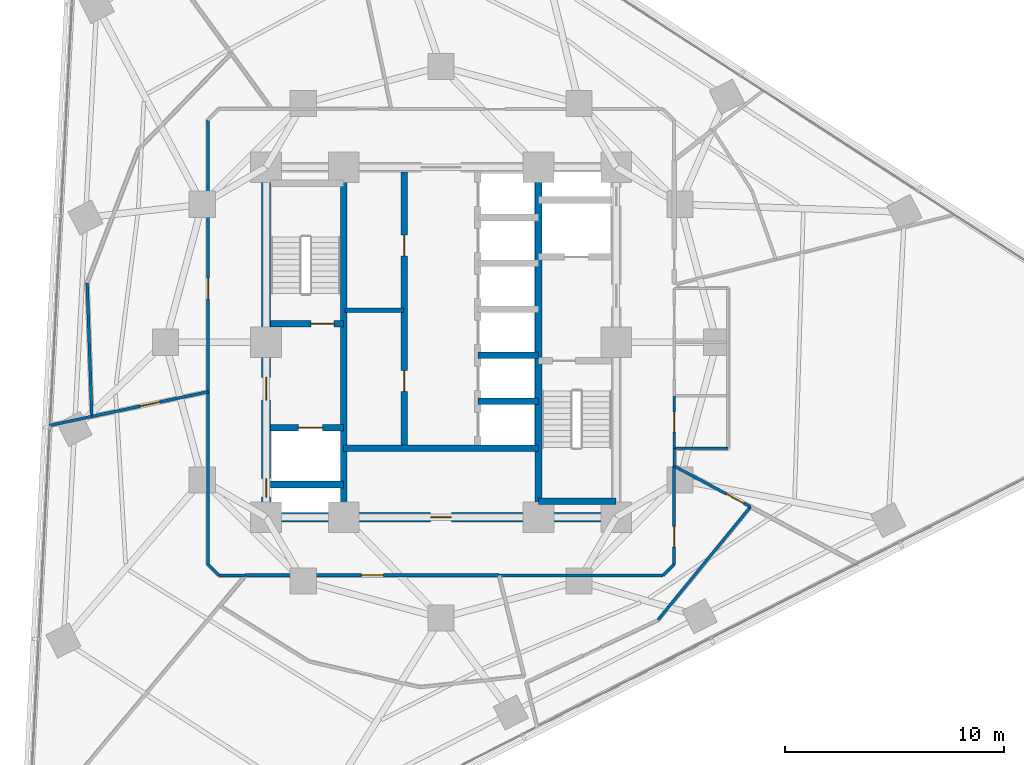
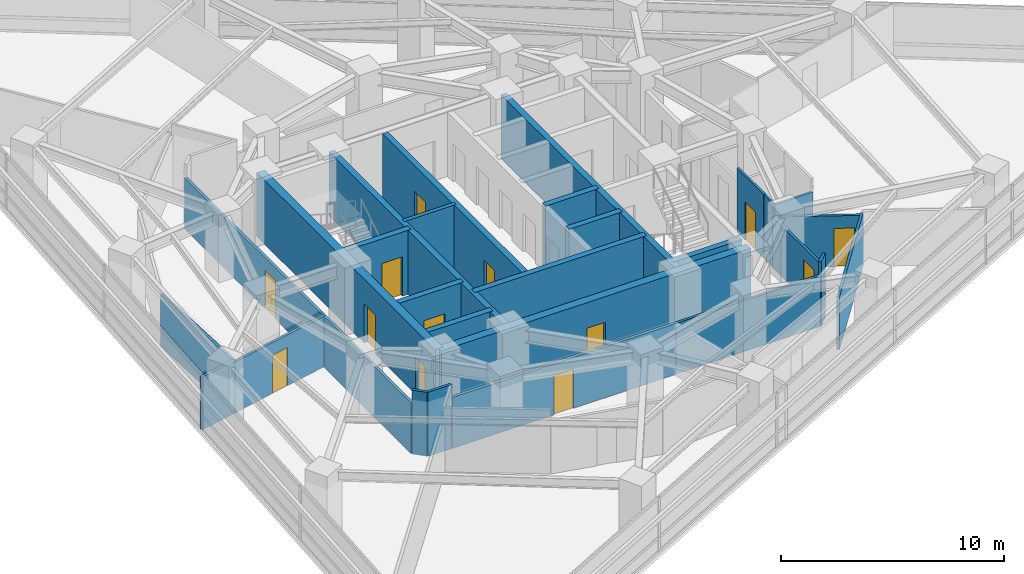
# One storey, part 8 of 14: 29 walls, 13 doors, 13 openings.
"""IFC4 building model written with IfcOpenShell, lengths in metres."""

from ifc_helpers import new_model, si_unit, direction, frame, frame_2d, origin, place, context, subcontext, project, spatial, rectangle, extrude, material, layer, layer_set, type_object, element, fill, save


model = new_model("IFC4")

# Units and contexts
model_context = context("Model", 3, precision=1e-05, world=origin(), true_north=direction((0.0, 1.0)))
body_context = subcontext(model_context, "Body", "Model", "MODEL_VIEW")
ifc_project = project(units=[si_unit("LENGTHUNIT", "METRE"), si_unit("AREAUNIT", "SQUARE_METRE"), si_unit("VOLUMEUNIT", "CUBIC_METRE"), si_unit("PLANEANGLEUNIT", "RADIAN"), si_unit("MASSUNIT", "GRAM", prefix="KILO")], contexts=[model_context])

# Site, building, storey
site_placement = place(None, origin())
site = spatial("IfcSite", under=ifc_project, at=site_placement, CompositionType="ELEMENT")
building_placement = place(site_placement, origin())
building = spatial("IfcBuilding", under=site, at=building_placement, Name="Terralouvre Media Tower", CompositionType="ELEMENT")
storey_placement = place(building_placement, frame((0.0, 0.0, 123.60009765625)))
storey = spatial("IfcBuildingStorey", under=building, at=storey_placement, Name="L31", CompositionType="ELEMENT", Elevation=123.60009765625)

# Walls
ifc_material_1 = material(Name="Concrete C50/60", Category="concrete")
ifc_layer_1 = layer(ifc_material_1, 0.300048828125, Name="Core Internal Shaft Wall CW-300")
ifc_layer_set_1 = layer_set([ifc_layer_1], Name="Concrete C50/60")
wall_type_1 = type_object("IfcWallType", Name="Core Internal Shaft Wall CW-300", PredefinedType="SHEAR", material=ifc_layer_set_1)
for number, where, z_axis, x_axis, name in (
    (1, (-4.449951171875, -7.7900390625, 0.0), (0.0, 0.0, 1.0), (0.0, 1.0, 0.0), "L31 Core Shaft Wall SPW"),
    (2, (4.449951171875, -7.7900390625, 0.0), (0.0, 0.0, 1.0), (0.0, 1.0, 0.0), "L31 Core Shaft Wall SPE"),
):
    element("IfcWall", number, at=place(storey_placement, frame(where, z_axis=z_axis, x_axis=x_axis)), inside=storey, type_object=wall_type_1, Name=name, PredefinedType="SHEAR", context=body_context, shape_type="SweptSolid", body=[
        extrude(rectangle(XDim=15.580078125, YDim=0.300048828125, at=frame_2d((7.7900390625, 0.0))), origin(), (0.0, 0.0, 1.0), 3.5),
    ])

# Wall, opening, door
wall_1_placement = place(storey_placement, frame((-7.7900390625, 0.85009765625, 0.0), z_axis=(0.0, 0.0, 1.0), x_axis=(1.0, 0.0, 0.0)))
wall_1 = element("IfcWall", 3, at=wall_1_placement, inside=storey, type_object=wall_type_1, Name="L31 Core Shaft Wall ST1D", PredefinedType="SHEAR", context=body_context, shape_type="SweptSolid", body=[
    extrude(rectangle(XDim=3.340087890625, YDim=0.300048828125, at=frame_2d((1.669921875, 0.0))), origin(), (0.0, 0.0, 1.0), 3.5),
])
opening_1_placement = place(wall_1_placement, frame((1.85009765625, 0.0, 0.0)))
opening_1 = element("IfcOpeningElement", 4, at=opening_1_placement, cuts=wall_1, Name="Opening FD-01-105X215", PredefinedType="OPENING", context=body_context, shape_type="SweptSolid", body=[
    extrude(rectangle(XDim=1.050048828125, YDim=2.14990234375, at=frame_2d((0.52490234375, 1.074951171875))), frame((0.0, 0.159912109375, 0.0), z_axis=(0.0, -1.0, 0.0), x_axis=(1.0, 0.0, 0.0)), (0.0, 0.0, 1.0), 0.320068359375),
])
ifc_material_2 = material(Name="Galvanised steel fire-resisting leaf", Category="steel")
door_type_1 = type_object("IfcDoorType", Name="Stair and Firefighting Lobby Fire Door FD-01 (1050x2150)", OperationType="NOTDEFINED", PredefinedType="DOOR", material=ifc_material_2)
door_1_placement = place(opening_1_placement, origin())
door_1 = element("IfcDoor", 5, at=door_1_placement, inside=storey, type_object=door_type_1, Name="L31 ST-01 Exit Stair Door", OperationType="SINGLE_SWING_LEFT", OverallHeight=2.14990234375, OverallWidth=1.050048828125, PredefinedType="DOOR", context=body_context, shape_type="SweptSolid", body=[
    extrude(rectangle(XDim=1.050048828125, YDim=2.14990234375, at=frame_2d((0.52490234375, 1.074951171875))), frame((0.0, 0.02490234375, 0.0), z_axis=(0.0, -1.0, 0.0), x_axis=(1.0, 0.0, 0.0)), (0.0, 0.0, 1.0), 0.050048828125),
])
fill(opening_1, door_1)

# Wall
wall_2_placement = place(storey_placement, frame((4.449951171875, -7.260009765625, 0.0), z_axis=(0.0, 0.0, 1.0), x_axis=(1.0, 0.0, 0.0)))
element("IfcWall", 6, at=wall_2_placement, inside=storey, type_object=wall_type_1, Name="L31 Core Shaft Wall ST2F", PredefinedType="SHEAR", context=body_context, shape_type="SweptSolid", body=[
    extrude(rectangle(XDim=3.550048828125, YDim=0.300048828125, at=frame_2d((1.77490234375, 0.0))), origin(), (0.0, 0.0, 1.0), 3.5),
])

# Wall, opening, door
wall_3_placement = place(storey_placement, frame((-7.7900390625, -3.89990234375, 0.0), z_axis=(0.0, 0.0, 1.0), x_axis=(1.0, 0.0, 0.0)))
wall_3 = element("IfcWall", 7, at=wall_3_placement, inside=storey, type_object=wall_type_1, Name="L31 Core Shaft Wall FF1N", PredefinedType="SHEAR", context=body_context, shape_type="SweptSolid", body=[
    extrude(rectangle(XDim=3.340087890625, YDim=0.300048828125, at=frame_2d((1.669921875, 0.0))), origin(), (0.0, 0.0, 1.0), 3.5),
])
opening_2_placement = place(wall_3_placement, frame((1.27001953125, 0.0, 0.0)))
opening_2 = element("IfcOpeningElement", 8, at=opening_2_placement, cuts=wall_3, Name="Opening LD-FF", PredefinedType="OPENING", context=body_context, shape_type="SweptSolid", body=[
    extrude(rectangle(XDim=1.10009765625, YDim=2.10009765625, at=frame_2d((0.550048828125, 1.050048828125))), frame((0.0, 0.159912109375, 0.0), z_axis=(0.0, -1.0, 0.0), x_axis=(1.0, 0.0, 0.0)), (0.0, 0.0, 1.0), 0.320068359375),
])
ifc_material_3 = material(Name="Stainless steel 316 handrail and balustrade", Category="steel")
door_type_2 = type_object("IfcDoorType", Name="Firefighting Lift Sliding Landing Door LD-FF", OperationType="SLIDING_TO_LEFT", PredefinedType="DOOR", material=ifc_material_3)
door_2_placement = place(opening_2_placement, origin())
door_2 = element("IfcDoor", 9, at=door_2_placement, inside=storey, type_object=door_type_2, Name="L31 Firefighting Lift FFL-01 Landing Door", OperationType="SLIDING_TO_LEFT", OverallHeight=2.10009765625, OverallWidth=1.10009765625, PredefinedType="DOOR", context=body_context, shape_type="SweptSolid", body=[
    extrude(rectangle(XDim=1.10009765625, YDim=2.10009765625, at=frame_2d((0.550048828125, 1.050048828125))), frame((0.0, 0.02490234375, 0.0), z_axis=(0.0, -1.0, 0.0), x_axis=(1.0, 0.0, 0.0)), (0.0, 0.0, 1.0), 0.050048828125),
])
fill(opening_2, door_2)

# Walls
wall_4_placement = place(storey_placement, frame((-7.7900390625, -6.5, 0.0), z_axis=(0.0, 0.0, 1.0), x_axis=(1.0, 0.0, 0.0)))
element("IfcWall", 10, at=wall_4_placement, inside=storey, type_object=wall_type_1, Name="L31 Core Shaft Wall FF1S", PredefinedType="SHEAR", context=body_context, shape_type="SweptSolid", body=[
    extrude(rectangle(XDim=3.340087890625, YDim=0.300048828125, at=frame_2d((1.669921875, 0.0))), origin(), (0.0, 0.0, 1.0), 3.5),
])
wall_5_placement = place(storey_placement, frame((-4.449951171875, -4.85009765625, 0.0), z_axis=(0.0, 0.0, 1.0), x_axis=(1.0, 0.0, 0.0)))
element("IfcWall", 11, at=wall_5_placement, inside=storey, type_object=wall_type_1, Name="L31 Core Shaft Wall CSBN", PredefinedType="SHEAR", context=body_context, shape_type="SweptSolid", body=[
    extrude(rectangle(XDim=8.89990234375, YDim=0.300048828125, at=frame_2d((4.449951171875, 0.0))), origin(), (0.0, 0.0, 1.0), 3.5),
])

# Wall, openings, doors
wall_6_placement = place(storey_placement, frame((-1.679931640625, -4.85009765625, 0.0), z_axis=(0.0, 0.0, 1.0), x_axis=(0.0, 1.0, 0.0)))
wall_6 = element("IfcWall", 12, at=wall_6_placement, inside=storey, type_object=wall_type_1, Name="L31 Core Shaft Wall LBW", PredefinedType="SHEAR", context=body_context, shape_type="SweptSolid", body=[
    extrude(rectangle(XDim=12.64013671875, YDim=0.300048828125, at=frame_2d((6.320068359375, 0.0))), origin(), (0.0, 0.0, 1.0), 3.5),
])
opening_3_placement = place(wall_6_placement, frame((2.60009765625, 0.0, 0.0)))
opening_3 = element("IfcOpeningElement", 13, at=opening_3_placement, cuts=wall_6, Name="Opening FD-02-95X210", PredefinedType="OPENING", context=body_context, shape_type="SweptSolid", body=[
    extrude(rectangle(XDim=0.949951171875, YDim=2.10009765625, at=frame_2d((0.47509765625, 1.050048828125))), frame((0.0, 0.159912109375, 0.0), z_axis=(0.0, -1.0, 0.0), x_axis=(1.0, 0.0, 0.0)), (0.0, 0.0, 1.0), 0.320068359375),
])
opening_4_placement = place(wall_6_placement, frame((8.800048828125, 0.0, 0.0)))
opening_4 = element("IfcOpeningElement", 14, at=opening_4_placement, cuts=wall_6, Name="Opening FD-04-95X210", PredefinedType="OPENING", context=body_context, shape_type="SweptSolid", body=[
    extrude(rectangle(XDim=0.949951171875, YDim=2.10009765625, at=frame_2d((0.47509765625, 1.050048828125))), frame((0.0, 0.159912109375, 0.0), z_axis=(0.0, -1.0, 0.0), x_axis=(1.0, 0.0, 0.0)), (0.0, 0.0, 1.0), 0.320068359375),
])
ifc_material_4 = material(Name="Galvanised steel fire-resisting leaf", Category="steel")
door_type_3 = type_object("IfcDoorType", Name="Core Store and Service Fire Door FD-04 (950x2100)", OperationType="NOTDEFINED", PredefinedType="DOOR", material=ifc_material_4)
door_3_placement = place(opening_4_placement, origin())
door_3 = element("IfcDoor", 15, at=door_3_placement, inside=storey, type_object=door_type_3, Name="L31 Core Linen Store Door", OperationType="SINGLE_SWING_RIGHT", OverallHeight=2.10009765625, OverallWidth=0.949951171875, PredefinedType="DOOR", context=body_context, shape_type="SweptSolid", body=[
    extrude(rectangle(XDim=0.949951171875, YDim=2.10009765625, at=frame_2d((0.47509765625, 1.050048828125))), frame((0.0, 0.02490234375, 0.0), z_axis=(0.0, -1.0, 0.0), x_axis=(1.0, 0.0, 0.0)), (0.0, 0.0, 1.0), 0.050048828125),
])
fill(opening_4, door_3)
ifc_material_5 = material(Name="Galvanised steel fire-resisting leaf", Category="steel")
door_type_4 = type_object("IfcDoorType", Name="Plant and Riser Fire Door FD-02 (950x2100)", OperationType="NOTDEFINED", PredefinedType="DOOR", material=ifc_material_5)
door_4_placement = place(opening_3_placement, origin())
door_4 = element("IfcDoor", 16, at=door_4_placement, inside=storey, type_object=door_type_4, Name="L31 Core Fibre Patch Plant Door", OperationType="SINGLE_SWING_LEFT", OverallHeight=2.10009765625, OverallWidth=0.949951171875, PredefinedType="DOOR", context=body_context, shape_type="SweptSolid", body=[
    extrude(rectangle(XDim=0.949951171875, YDim=2.10009765625, at=frame_2d((0.47509765625, 1.050048828125))), frame((0.0, 0.02490234375, 0.0), z_axis=(0.0, -1.0, 0.0), x_axis=(1.0, 0.0, 0.0)), (0.0, 0.0, 1.0), 0.050048828125),
])
fill(opening_3, door_4)

# Walls
for number, where, z_axis, x_axis, name in (
    (17, (1.679931640625, -2.699951171875, 0.0), (0.0, 0.0, 1.0), (1.0, 0.0, 0.0), "L31 Core Shaft Wall PLHD1"),
    (18, (1.679931640625, -0.60009765625, 0.0), (0.0, 0.0, 1.0), (1.0, 0.0, 0.0), "L31 Core Shaft Wall PLHD2"),
):
    element("IfcWall", number, at=place(storey_placement, frame(where, z_axis=z_axis, x_axis=x_axis)), inside=storey, type_object=wall_type_1, Name=name, PredefinedType="SHEAR", context=body_context, shape_type="SweptSolid", body=[
        extrude(rectangle(XDim=2.77001953125, YDim=0.300048828125, at=frame_2d((1.385009765625, 0.0))), origin(), (0.0, 0.0, 1.0), 3.5),
    ])

# Wall, openings, doors
ifc_material_6 = material(Name="Concrete C60/75", Category="concrete")
ifc_layer_2 = layer(ifc_material_6, 0.419921875, Name="Core Reinforced Concrete Shear Wall CW-420")
ifc_layer_set_2 = layer_set([ifc_layer_2], Name="Concrete C60/75")
wall_type_2 = type_object("IfcWallType", Name="Core Reinforced Concrete Shear Wall CW-420", PredefinedType="SHEAR", material=ifc_layer_set_2)
wall_7_placement = place(storey_placement, frame((-8.0, -8.0, 0.0), z_axis=(0.0, 0.0, 1.0), x_axis=(0.0, 1.0, 0.0)))
wall_7 = element("IfcWall", 19, at=wall_7_placement, inside=storey, type_object=wall_type_2, Name="L31 W Core Shear Wall", PredefinedType="SHEAR", context=body_context, shape_type="SweptSolid", body=[
    extrude(rectangle(XDim=16.0, YDim=0.419921875, at=frame_2d((8.0, 0.0))), origin(), (0.0, 0.0, 1.0), 3.5),
])
opening_5_placement = place(wall_7_placement, frame((0.921630859375, 0.0, 0.0)))
opening_5 = element("IfcOpeningElement", 20, at=opening_5_placement, cuts=wall_7, Name="Opening TD-R1", PredefinedType="OPENING", context=body_context, shape_type="SweptSolid", body=[
    extrude(rectangle(XDim=0.85009765625, YDim=2.02001953125, at=frame_2d((0.425048828125, 1.010009765625))), frame((0.0, 0.219970703125, 0.0), z_axis=(0.0, -1.0, 0.0), x_axis=(1.0, 0.0, 0.0)), (0.0, 0.0, 1.0), 0.43994140625),
])
opening_6_placement = place(wall_7_placement, frame((5.35009765625, 0.0, 0.0)))
opening_6 = element("IfcOpeningElement", 21, at=opening_6_placement, cuts=wall_7, Name="Opening FD-01-105X215", PredefinedType="OPENING", context=body_context, shape_type="SweptSolid", body=[
    extrude(rectangle(XDim=1.050048828125, YDim=2.14990234375, at=frame_2d((0.52490234375, 1.074951171875))), frame((0.0, 0.219970703125, 0.0), z_axis=(0.0, -1.0, 0.0), x_axis=(1.0, 0.0, 0.0)), (0.0, 0.0, 1.0), 0.43994140625),
])
ifc_material_7 = material(Name="Galvanised steel fire-resisting leaf", Category="steel")
door_type_5 = type_object("IfcDoorType", Name="Riser Inspection Access Trapdoor TD-R1", OperationType="NOTDEFINED", PredefinedType="TRAPDOOR", material=ifc_material_7)
door_5_placement = place(opening_5_placement, origin())
door_5 = element("IfcDoor", 22, at=door_5_placement, inside=storey, type_object=door_type_5, Name="L31 Wet Riser Access Trapdoor", OperationType="SINGLE_SWING_LEFT", OverallHeight=2.02001953125, OverallWidth=0.85009765625, PredefinedType="TRAPDOOR", context=body_context, shape_type="SweptSolid", body=[
    extrude(rectangle(XDim=0.85009765625, YDim=2.02001953125, at=frame_2d((0.425048828125, 1.010009765625))), frame((0.0, 0.02490234375, 0.0), z_axis=(0.0, -1.0, 0.0), x_axis=(1.0, 0.0, 0.0)), (0.0, 0.0, 1.0), 0.050048828125),
])
fill(opening_5, door_5)
door_6_placement = place(opening_6_placement, origin())
door_6 = element("IfcDoor", 23, at=door_6_placement, inside=storey, type_object=door_type_1, Name="L31 West Firefighting Lobby Entry Door", OperationType="SINGLE_SWING_RIGHT", OverallHeight=2.14990234375, OverallWidth=1.050048828125, PredefinedType="DOOR", context=body_context, shape_type="SweptSolid", body=[
    extrude(rectangle(XDim=1.050048828125, YDim=2.14990234375, at=frame_2d((0.52490234375, 1.074951171875))), frame((0.0, 0.02490234375, 0.0), z_axis=(0.0, -1.0, 0.0), x_axis=(1.0, 0.0, 0.0)), (0.0, 0.0, 1.0), 0.050048828125),
])
fill(opening_6, door_6)

# Wall, opening, door
wall_8_placement = place(storey_placement, frame((-8.0, -8.0, 0.0), z_axis=(0.0, 0.0, 1.0), x_axis=(1.0, 0.0, 0.0)))
wall_8 = element("IfcWall", 24, at=wall_8_placement, inside=storey, type_object=wall_type_2, Name="L31 S Core Shear Wall", PredefinedType="SHEAR", context=body_context, shape_type="SweptSolid", body=[
    extrude(rectangle(XDim=16.0, YDim=0.419921875, at=frame_2d((8.0, 0.0))), origin(), (0.0, 0.0, 1.0), 3.5),
])
opening_7_placement = place(wall_8_placement, frame((7.52001953125, 0.0, 0.0)))
opening_7 = element("IfcOpeningElement", 25, at=opening_7_placement, cuts=wall_8, Name="Opening FD-02-95X210", PredefinedType="OPENING", context=body_context, shape_type="SweptSolid", body=[
    extrude(rectangle(XDim=0.949951171875, YDim=2.10009765625, at=frame_2d((0.47509765625, 1.050048828125))), frame((0.0, 0.219970703125, 0.0), z_axis=(0.0, -1.0, 0.0), x_axis=(1.0, 0.0, 0.0)), (0.0, 0.0, 1.0), 0.43994140625),
])
door_7_placement = place(opening_7_placement, origin())
door_7 = element("IfcDoor", 26, at=door_7_placement, inside=storey, type_object=door_type_4, Name="L31 Core Switchgear Plant Door", OperationType="SINGLE_SWING_LEFT", OverallHeight=2.10009765625, OverallWidth=0.949951171875, PredefinedType="DOOR", context=body_context, shape_type="SweptSolid", body=[
    extrude(rectangle(XDim=0.949951171875, YDim=2.10009765625, at=frame_2d((0.47509765625, 1.050048828125))), frame((0.0, 0.02490234375, 0.0), z_axis=(0.0, -1.0, 0.0), x_axis=(1.0, 0.0, 0.0)), (0.0, 0.0, 1.0), 0.050048828125),
])
fill(opening_7, door_7)

# Walls
ifc_material_8 = material(Name="Low-iron laminated double glazing with solar-control coating", Category="glass")
ifc_layer_3 = layer(ifc_material_8, 0.10009765625, Name="Demountable Glazed Office Partition PT-GL100")
ifc_layer_set_3 = layer_set([ifc_layer_3], Name="Low-iron laminated double glazing with solar-control coating")
wall_type_3 = type_object("IfcWallType", Name="Demountable Glazed Office Partition PT-GL100", PredefinedType="MOVABLE", material=ifc_layer_set_3)
wall_9_placement = place(storey_placement, frame((10.64990234375, -5.6630859375, 0.0), z_axis=(0.0, 0.0, 1.0), x_axis=(0.0, 1.0, 0.0)))
element("IfcWall", 27, at=wall_9_placement, inside=storey, type_object=wall_type_3, Name="L31 Interior Partition 010", PredefinedType="MOVABLE", context=body_context, shape_type="SweptSolid", body=[
    extrude(rectangle(XDim=0.81298828125, YDim=0.10009765625, at=frame_2d((0.406494140625, 0.0))), origin(), (0.0, 0.0, 1.0), 3.5),
])
ifc_material_9 = material(Name="Fire-rated gypsum board drywall partition")
ifc_layer_4 = layer(ifc_material_9, 0.199951171875, Name="Fire-Rated Shaft and Lobby Partition FW-200")
ifc_layer_set_4 = layer_set([ifc_layer_4], Name="Fire-rated gypsum board drywall partition")
wall_type_4 = type_object("IfcWallType", Name="Fire-Rated Shaft and Lobby Partition FW-200", PredefinedType="SOLIDWALL", material=ifc_layer_set_4)
wall_10_placement = place(storey_placement, frame((-4.39990234375, 1.469970703125, 0.0), z_axis=(0.0, 0.0, 1.0), x_axis=(1.0, 0.0, 0.0)))
element("IfcWall", 28, at=wall_10_placement, inside=storey, type_object=wall_type_4, Name="L31 Core West Sub-Partition 1", PredefinedType="SOLIDWALL", context=body_context, shape_type="SweptSolid", body=[
    extrude(rectangle(XDim=2.679931640625, YDim=0.199951171875, at=frame_2d((1.33984375, 0.0))), origin(), (0.0, 0.0, 1.0), 3.5),
])
ifc_material_10 = material(Name="Fire-rated gypsum board drywall partition")
ifc_layer_5 = layer(ifc_material_10, 0.135009765625, Name="Newsroom Acoustic Partition PT-135")
ifc_layer_set_5 = layer_set([ifc_layer_5], Name="Fire-rated gypsum board drywall partition")
wall_type_5 = type_object("IfcWallType", Name="Newsroom Acoustic Partition PT-135", PredefinedType="PARTITIONING", material=ifc_layer_set_5)
wall_11_placement = place(storey_placement, frame((-10.64990234375, -2.263916015625, 0.0), z_axis=(0.0, 0.0, 1.0), x_axis=(0.0, -1.0, 0.0)))
element("IfcWall", 29, at=wall_11_placement, inside=storey, type_object=wall_type_5, Name="L31 Interior Partition 001", PredefinedType="PARTITIONING", context=body_context, shape_type="SweptSolid", body=[
    extrude(rectangle(XDim=7.885986328125, YDim=0.135009765625, at=frame_2d((3.94287109375, 0.0))), origin(), (0.0, 0.0, 1.0), 2.784912109375),
])
wall_12_placement = place(storey_placement, frame((-10.64990234375, -10.14990234375, 0.0), z_axis=(0.0, 0.0, 1.0), x_axis=(0.707106781187, -0.707106781187, 0.0)))
element("IfcWall", 30, at=wall_12_placement, inside=storey, type_object=wall_type_5, Name="L31 Interior Partition 002", PredefinedType="PARTITIONING", context=body_context, shape_type="SweptSolid", body=[
    extrude(rectangle(XDim=0.70703125, YDim=0.135009765625, at=frame_2d((0.353515625, 0.0))), origin(), (0.0, 0.0, 1.0), 3.5),
])
wall_13_placement = place(storey_placement, frame((-10.14990234375, -10.64990234375, 0.0), z_axis=(0.0, 0.0, 1.0), x_axis=(1.0, 0.0, 0.0)))
element("IfcWall", 31, at=wall_13_placement, inside=storey, type_object=wall_type_5, Name="L31 Interior Partition 003", PredefinedType="PARTITIONING", context=body_context, shape_type="SweptSolid", body=[
    extrude(rectangle(XDim=1.2138671875, YDim=0.135009765625, at=frame_2d((0.60693359375, 0.0))), origin(), (0.0, 0.0, 1.0), 3.5),
])
wall_14_placement = place(storey_placement, frame((2.655029296875, -10.64990234375, 0.0), z_axis=(0.0, 0.0, 1.0), x_axis=(1.0, 0.0, 0.0)))
element("IfcWall", 32, at=wall_14_placement, inside=storey, type_object=wall_type_5, Name="L31 Interior Partition 005", PredefinedType="PARTITIONING", context=body_context, shape_type="SweptSolid", body=[
    extrude(rectangle(XDim=7.494873046875, YDim=0.135009765625, at=frame_2d((3.74755859375, 0.0))), origin(), (0.0, 0.0, 1.0), 2.784912109375),
])
wall_15_placement = place(storey_placement, frame((10.14990234375, -10.64990234375, 0.0), z_axis=(0.0, 0.0, 1.0), x_axis=(0.707106781187, 0.707106781187, 0.0)))
element("IfcWall", 33, at=wall_15_placement, inside=storey, type_object=wall_type_5, Name="L31 Interior Partition 006", PredefinedType="PARTITIONING", context=body_context, shape_type="SweptSolid", body=[
    extrude(rectangle(XDim=0.70703125, YDim=0.135009765625, at=frame_2d((0.353515625, 0.0))), origin(), (0.0, 0.0, 1.0), 3.5),
])

# Wall, opening, door
wall_16_placement = place(storey_placement, frame((10.64990234375, -10.14990234375, 0.0), z_axis=(0.0, 0.0, 1.0), x_axis=(0.0, 1.0, 0.0)))
wall_16 = element("IfcWall", 34, at=wall_16_placement, inside=storey, type_object=wall_type_5, Name="L31 Interior Partition 007", PredefinedType="PARTITIONING", context=body_context, shape_type="SweptSolid", body=[
    extrude(rectangle(XDim=4.48681640625, YDim=0.135009765625, at=frame_2d((2.243408203125, 0.0))), origin(), (0.0, 0.0, 1.0), 2.784912109375),
])
opening_8_placement = place(wall_16_placement, frame((0.781494140625, 0.0, 0.0)))
opening_8 = element("IfcOpeningElement", 35, at=opening_8_placement, cuts=wall_16, Name="Opening ID-02-95X210", PredefinedType="OPENING", context=body_context, shape_type="SweptSolid", body=[
    extrude(rectangle(XDim=0.949951171875, YDim=2.10009765625, at=frame_2d((0.47509765625, 1.050048828125))), frame((0.0, 0.077392578125, 0.0), z_axis=(0.0, -1.0, 0.0), x_axis=(1.0, 0.0, 0.0)), (0.0, 0.0, 1.0), 0.155029296875),
])
ifc_material_11 = material(Name="Engineered hardwood acoustic timber leaf", Category="wood")
door_type_6 = type_object("IfcDoorType", Name="Office and Meeting Room Door ID-02 (950x2100)", OperationType="NOTDEFINED", PredefinedType="DOOR", material=ifc_material_11)
door_8_placement = place(opening_8_placement, origin())
door_8 = element("IfcDoor", 36, at=door_8_placement, inside=storey, type_object=door_type_6, Name="L31 Meteorology Graphics Open Office 4 Door", OperationType="SINGLE_SWING_LEFT", OverallHeight=2.10009765625, OverallWidth=0.949951171875, PredefinedType="DOOR", context=body_context, shape_type="SweptSolid", body=[
    extrude(rectangle(XDim=0.949951171875, YDim=2.10009765625, at=frame_2d((0.47509765625, 1.050048828125))), frame((0.0, 0.02490234375, 0.0), z_axis=(0.0, -1.0, 0.0), x_axis=(1.0, 0.0, 0.0)), (0.0, 0.0, 1.0), 0.050048828125),
])
fill(opening_8, door_8)

wall_17_placement = place(storey_placement, frame((-10.64990234375, 10.14990234375, 0.0), z_axis=(0.0, 0.0, 1.0), x_axis=(0.0, -1.0, 0.0)))
wall_17 = element("IfcWall", 37, at=wall_17_placement, inside=storey, type_object=wall_type_5, Name="L31 Interior Partition 019", PredefinedType="PARTITIONING", context=body_context, shape_type="SweptSolid", body=[
    extrude(rectangle(XDim=12.413818359375, YDim=0.135009765625, at=frame_2d((6.20703125, 0.0))), origin(), (0.0, 0.0, 1.0), 2.784912109375),
])
opening_9_placement = place(wall_17_placement, frame((7.2216796875, 0.0, 0.0)))
opening_9 = element("IfcOpeningElement", 38, at=opening_9_placement, cuts=wall_17, Name="Opening ID-02-95X210", PredefinedType="OPENING", context=body_context, shape_type="SweptSolid", body=[
    extrude(rectangle(XDim=0.949951171875, YDim=2.10009765625, at=frame_2d((0.47509765625, 1.050048828125))), frame((0.0, 0.077392578125, 0.0), z_axis=(0.0, -1.0, 0.0), x_axis=(1.0, 0.0, 0.0)), (0.0, 0.0, 1.0), 0.155029296875),
])
door_9_placement = place(opening_9_placement, origin())
door_9 = element("IfcDoor", 39, at=door_9_placement, inside=storey, type_object=door_type_6, Name="L31 Sports Desk Workspace 12 Door", OperationType="SINGLE_SWING_RIGHT", OverallHeight=2.10009765625, OverallWidth=0.949951171875, PredefinedType="DOOR", context=body_context, shape_type="SweptSolid", body=[
    extrude(rectangle(XDim=0.949951171875, YDim=2.10009765625, at=frame_2d((0.47509765625, 1.050048828125))), frame((0.0, 0.02490234375, 0.0), z_axis=(0.0, -1.0, 0.0), x_axis=(1.0, 0.0, 0.0)), (0.0, 0.0, 1.0), 0.050048828125),
])
fill(opening_9, door_9)

# Wall
wall_18_placement = place(storey_placement, frame((-15.9619140625, -3.39306640625, 0.0), z_axis=(0.0, 0.0, 1.0), x_axis=(-0.978224349737, -0.207550286874, 0.0)))
element("IfcWall", 40, at=wall_18_placement, inside=storey, type_object=wall_type_5, Name="L31 Interior Partition 022", PredefinedType="PARTITIONING", context=body_context, shape_type="SweptSolid", body=[
    extrude(rectangle(XDim=1.997314453125, YDim=0.135009765625, at=frame_2d((0.99853515625, 0.0))), origin(), (0.0, 0.0, 1.0), 2.885009765625),
])

# Wall, opening, door
wall_19_placement = place(storey_placement, frame((-10.64990234375, -2.263916015625, 0.0), z_axis=(0.0, 0.0, 1.0), x_axis=(-0.978145824013, -0.207920049456, 0.0)))
wall_19 = element("IfcWall", 41, at=wall_19_placement, inside=storey, type_object=wall_type_5, Name="L31 Interior Partition 023", PredefinedType="PARTITIONING", context=body_context, shape_type="SweptSolid", body=[
    extrude(rectangle(XDim=5.4306640625, YDim=0.135009765625, at=frame_2d((2.71533203125, 0.0))), origin(), (0.0, 0.0, 1.0), 2.784912109375),
])
opening_10_placement = place(wall_19_placement, frame((2.25537109375, 0.0, 0.0)))
opening_10 = element("IfcOpeningElement", 42, at=opening_10_placement, cuts=wall_19, Name="Opening ID-03-92X210", PredefinedType="OPENING", context=body_context, shape_type="SweptSolid", body=[
    extrude(rectangle(XDim=0.919921875, YDim=2.10009765625, at=frame_2d((0.4599609375, 1.050048828125))), frame((0.0, 0.077392578125, 0.0), z_axis=(0.0, -1.0, 0.0), x_axis=(1.0, 0.0, 0.0)), (0.0, 0.0, 1.0), 0.155029296875),
])
ifc_material_12 = material(Name="Engineered hardwood acoustic timber leaf", Category="wood")
door_type_7 = type_object("IfcDoorType", Name="Accessible Restroom and Suite Door ID-03 (920x2100)", OperationType="NOTDEFINED", PredefinedType="DOOR", material=ifc_material_12)
door_10_placement = place(opening_10_placement, origin())
door_10 = element("IfcDoor", 43, at=door_10_placement, inside=storey, type_object=door_type_7, Name="L31 OB Coordination Crew Room 1 Door", OperationType="SINGLE_SWING_LEFT", OverallHeight=2.10009765625, OverallWidth=0.919921875, PredefinedType="DOOR", context=body_context, shape_type="SweptSolid", body=[
    extrude(rectangle(XDim=0.919921875, YDim=2.10009765625, at=frame_2d((0.4599609375, 1.050048828125))), frame((0.0, 0.02490234375, 0.0), z_axis=(0.0, -1.0, 0.0), x_axis=(1.0, 0.0, 0.0)), (0.0, 0.0, 1.0), 0.050048828125),
])
fill(opening_10, door_10)

# Wall
wall_20_placement = place(storey_placement, frame((9.912109375, -12.68701171875, 0.0), z_axis=(0.0, 0.0, 1.0), x_axis=(0.632781686385, 0.774330250846, 0.0)))
element("IfcWall", 44, at=wall_20_placement, inside=storey, type_object=wall_type_5, Name="L31 Interior Partition 030", PredefinedType="PARTITIONING", context=body_context, shape_type="SweptSolid", body=[
    extrude(rectangle(XDim=6.6767578125, YDim=0.135009765625, at=frame_2d((3.33837890625, 0.0))), origin(), (0.0, 0.0, 1.0), 2.885009765625),
])

# Wall, opening, door
wall_21_placement = place(storey_placement, frame((14.136962890625, -7.51708984375, 0.0), z_axis=(0.0, 0.0, 1.0), x_axis=(-0.882957991608, 0.46945200506, 0.0)))
wall_21 = element("IfcWall", 45, at=wall_21_placement, inside=storey, type_object=wall_type_5, Name="L31 Interior Partition 031", PredefinedType="PARTITIONING", context=body_context, shape_type="SweptSolid", body=[
    extrude(rectangle(XDim=3.94921875, YDim=0.135009765625, at=frame_2d((1.974609375, 0.0))), origin(), (0.0, 0.0, 1.0), 2.784912109375),
])
opening_11_placement = place(wall_21_placement, frame((0.329833984375, 0.0, 0.0)))
opening_11 = element("IfcOpeningElement", 46, at=opening_11_placement, cuts=wall_21, Name="Opening ID-03-92X210", PredefinedType="OPENING", context=body_context, shape_type="SweptSolid", body=[
    extrude(rectangle(XDim=0.919921875, YDim=2.10009765625, at=frame_2d((0.4599609375, 1.050048828125))), frame((0.0, 0.077392578125, 0.0), z_axis=(0.0, -1.0, 0.0), x_axis=(1.0, 0.0, 0.0)), (0.0, 0.0, 1.0), 0.155029296875),
])
door_11_placement = place(opening_11_placement, origin())
door_11 = element("IfcDoor", 47, at=door_11_placement, inside=storey, type_object=door_type_7, Name="L31 Event Planning Conference Room 6 Door", OperationType="SINGLE_SWING_RIGHT", OverallHeight=2.10009765625, OverallWidth=0.919921875, PredefinedType="DOOR", context=body_context, shape_type="SweptSolid", body=[
    extrude(rectangle(XDim=0.919921875, YDim=2.10009765625, at=frame_2d((0.4599609375, 1.050048828125))), frame((0.0, 0.02490234375, 0.0), z_axis=(0.0, -1.0, 0.0), x_axis=(1.0, 0.0, 0.0)), (0.0, 0.0, 1.0), 0.050048828125),
])
fill(opening_11, door_11)

# Wall
wall_22_placement = place(storey_placement, frame((-15.9619140625, -3.39306640625, 0.0), z_axis=(0.0, 0.0, 1.0), x_axis=(-0.034918259019, 0.999390171648, 0.0)))
element("IfcWall", 48, at=wall_22_placement, inside=storey, type_object=wall_type_5, Name="L31 Interior Partition 049", PredefinedType="PARTITIONING", context=body_context, shape_type="SweptSolid", body=[
    extrude(rectangle(XDim=6.103759765625, YDim=0.135009765625, at=frame_2d((3.0517578125, 0.0))), origin(), (0.0, 0.0, 1.0), 2.885009765625),
])

# Wall, opening, door
ifc_material_13 = material(Name="Fire-rated gypsum board drywall partition")
ifc_layer_6 = layer(ifc_material_13, 0.114990234375, Name="Restroom and Pantry Partition PT-115")
ifc_layer_set_6 = layer_set([ifc_layer_6], Name="Fire-rated gypsum board drywall partition")
wall_type_6 = type_object("IfcWallType", Name="Restroom and Pantry Partition PT-115", PredefinedType="PARTITIONING", material=ifc_layer_set_6)
wall_23_placement = place(storey_placement, frame((10.64990234375, -4.85009765625, 0.0), z_axis=(0.0, 0.0, 1.0), x_axis=(0.0, 1.0, 0.0)))
wall_23 = element("IfcWall", 49, at=wall_23_placement, inside=storey, type_object=wall_type_6, Name="L31 Interior Partition 008", PredefinedType="PARTITIONING", context=body_context, shape_type="SweptSolid", body=[
    extrude(rectangle(XDim=2.400146484375, YDim=0.114990234375, at=frame_2d((1.2001953125, 0.0))), origin(), (0.0, 0.0, 1.0), 3.5),
])
opening_12_placement = place(wall_23_placement, frame((0.739990234375, 0.0, 0.0)))
opening_12 = element("IfcOpeningElement", 50, at=opening_12_placement, cuts=wall_23, Name="Opening ID-03-92X210", PredefinedType="OPENING", context=body_context, shape_type="SweptSolid", body=[
    extrude(rectangle(XDim=0.919921875, YDim=2.10009765625, at=frame_2d((0.4599609375, 1.050048828125))), frame((0.0, 0.0673828125, 0.0), z_axis=(0.0, -1.0, 0.0), x_axis=(1.0, 0.0, 0.0)), (0.0, 0.0, 1.0), 0.135009765625),
])
door_12_placement = place(opening_12_placement, origin())
door_12 = element("IfcDoor", 51, at=door_12_placement, inside=storey, type_object=door_type_7, Name="L31 Male Restroom WC Door", OperationType="SINGLE_SWING_RIGHT", OverallHeight=2.10009765625, OverallWidth=0.919921875, PredefinedType="DOOR", context=body_context, shape_type="SweptSolid", body=[
    extrude(rectangle(XDim=0.919921875, YDim=2.10009765625, at=frame_2d((0.4599609375, 1.050048828125))), frame((0.0, 0.02490234375, 0.0), z_axis=(0.0, -1.0, 0.0), x_axis=(1.0, 0.0, 0.0)), (0.0, 0.0, 1.0), 0.050048828125),
])
fill(opening_12, door_12)

# Wall
wall_24_placement = place(storey_placement, frame((10.64990234375, -4.85009765625, 0.0), z_axis=(0.0, 0.0, 1.0), x_axis=(1.0, 0.0, 0.0)))
element("IfcWall", 52, at=wall_24_placement, inside=storey, type_object=wall_type_6, Name="L31 Interior Partition 034", PredefinedType="PARTITIONING", context=body_context, shape_type="SweptSolid", body=[
    extrude(rectangle(XDim=2.4501953125, YDim=0.114990234375, at=frame_2d((1.22509765625, 0.0))), origin(), (0.0, 0.0, 1.0), 2.784912109375),
])

# Wall, opening, door
ifc_material_14 = material(Name="Fire-rated gypsum board drywall partition")
ifc_layer_7 = layer(ifc_material_14, 0.159912109375, Name="Studio Acoustic Rated Partition PT-160")
ifc_layer_set_7 = layer_set([ifc_layer_7], Name="Fire-rated gypsum board drywall partition")
wall_type_7 = type_object("IfcWallType", Name="Studio Acoustic Rated Partition PT-160", PredefinedType="PARTITIONING", material=ifc_layer_set_7)
wall_25_placement = place(storey_placement, frame((-8.93603515625, -10.64990234375, 0.0), z_axis=(0.0, 0.0, 1.0), x_axis=(1.0, 0.0, 0.0)))
wall_25 = element("IfcWall", 53, at=wall_25_placement, inside=storey, type_object=wall_type_7, Name="L31 Interior Partition 004", PredefinedType="PARTITIONING", context=body_context, shape_type="SweptSolid", body=[
    extrude(rectangle(XDim=11.591064453125, YDim=0.159912109375, at=frame_2d((5.79541015625, 0.0))), origin(), (0.0, 0.0, 1.0), 2.784912109375),
])
opening_13_placement = place(wall_25_placement, frame((5.29541015625, 0.0, 0.0)))
opening_13 = element("IfcOpeningElement", 54, at=opening_13_placement, cuts=wall_25, Name="Opening ID-01-100X215", PredefinedType="OPENING", context=body_context, shape_type="SweptSolid", body=[
    extrude(rectangle(XDim=1.0, YDim=2.14990234375, at=frame_2d((0.5, 1.074951171875))), frame((0.0, 0.08984375, 0.0), z_axis=(0.0, -1.0, 0.0), x_axis=(1.0, 0.0, 0.0)), (0.0, 0.0, 1.0), 0.179931640625),
])
ifc_material_15 = material(Name="Engineered hardwood acoustic timber leaf", Category="wood")
door_type_8 = type_object("IfcDoorType", Name="Broadcast Studio Acoustic Single Door ID-01 (1000x2150)", OperationType="NOTDEFINED", PredefinedType="DOOR", material=ifc_material_15)
door_13_placement = place(opening_13_placement, origin())
door_13 = element("IfcDoor", 55, at=door_13_placement, inside=storey, type_object=door_type_8, Name="L31 Sports Commentary Control Room 3 Door", OperationType="SINGLE_SWING_RIGHT", OverallHeight=2.14990234375, OverallWidth=1.0, PredefinedType="DOOR", context=body_context, shape_type="SweptSolid", body=[
    extrude(rectangle(XDim=1.0, YDim=2.14990234375, at=frame_2d((0.5, 1.074951171875))), frame((0.0, 0.02490234375, 0.0), z_axis=(0.0, -1.0, 0.0), x_axis=(1.0, 0.0, 0.0)), (0.0, 0.0, 1.0), 0.050048828125),
])
fill(opening_13, door_13)

save(model, "model.ifc")
